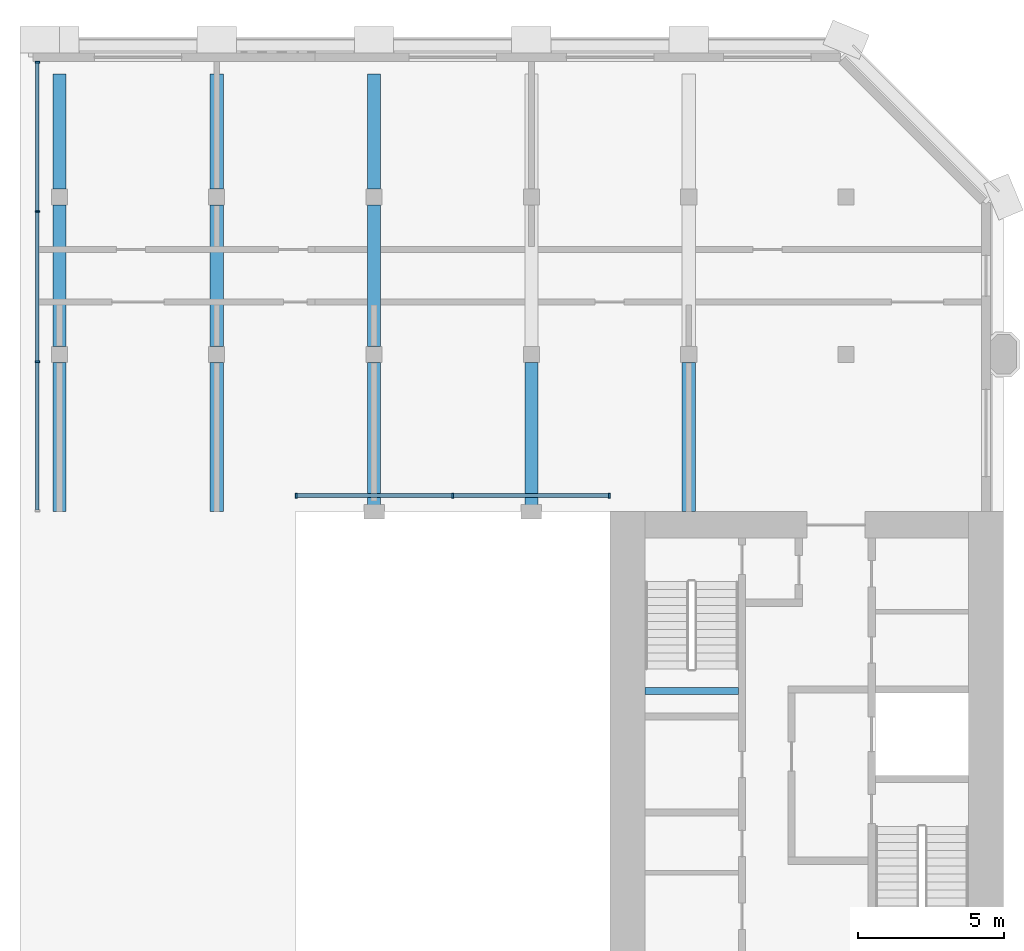
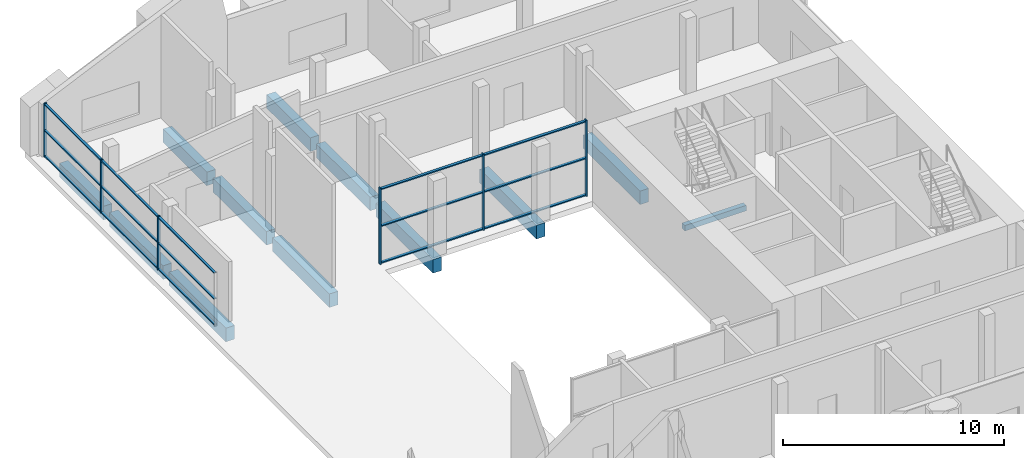
# One storey, part 3 of 9: 21 members, 12 beams, 2 elements without a shape of their own.
"""IFC4 building model written with IfcOpenShell, lengths in metres."""

from ifc_helpers import new_model, si_unit, direction, frame, origin, origin_2d, place, context, subcontext, project, spatial, rectangle, extrude, material, material_profile, profile_set, type_object, element, aggregate, save


model = new_model("IFC4")

# Units and contexts
model_context = context("Model", 3, precision=1e-05, world=origin(), true_north=direction((0.0, 1.0)))
body_context = subcontext(model_context, "Body", "Model", "MODEL_VIEW")
ifc_project = project(units=[si_unit("LENGTHUNIT", "METRE"), si_unit("AREAUNIT", "SQUARE_METRE"), si_unit("VOLUMEUNIT", "CUBIC_METRE"), si_unit("PLANEANGLEUNIT", "RADIAN"), si_unit("MASSUNIT", "GRAM", prefix="KILO")], contexts=[model_context])

# Site, building, storey
site_placement = place(None, origin())
site = spatial("IfcSite", under=ifc_project, at=site_placement, CompositionType="ELEMENT")
building_placement = place(site_placement, origin())
building = spatial("IfcBuilding", under=site, at=building_placement, Name="Tabaq Tower and Sports Hall", CompositionType="ELEMENT")
storey_placement = place(building_placement, frame((0.0, 0.0, 326.199951171875)))
storey = spatial("IfcBuildingStorey", under=building, at=storey_placement, Name="L81", CompositionType="ELEMENT", Elevation=326.199951171875)

# Curtain wall, members
ifc_material_1 = material(Name="Aluminium alloy 6063-T6 framed glazing", Category="aluminium")
curtain_wall_type_1 = type_object("IfcCurtainWallType", Name="CW1 curtain wall", PredefinedType="USERDEFINED", material=ifc_material_1)
curtain_wall_1_placement = place(storey_placement, origin())
curtain_wall_1 = element("IfcCurtainWall", 1, at=curtain_wall_1_placement, inside=storey, type_object=curtain_wall_type_1, Name="Atrium glazing L81 N", ObjectType="ATRIUM ENCLOSURE", PredefinedType="USERDEFINED")
ifc_material_2 = material(Name="Aluminium alloy 6063-T6", Category="aluminium")
ifc_material_profile_1 = material_profile(ifc_material_2, rectangle(XDim=0.159912109375, YDim=0.06005859375, at=origin_2d()), Name="MULLION 160x60")
ifc_profile_set_1 = profile_set([ifc_material_profile_1], Name="Aluminium alloy 6063-T6")
member_type_1 = type_object("IfcMemberType", Name="CW1 mullion 160x60", PredefinedType="MULLION", material=ifc_profile_set_1)
member_1_placement = place(storey_placement, frame((18.929931640625, 32.949951171875, 0.0), z_axis=(0.0, 0.0, 1.0), x_axis=(0.0, 1.0, 0.0)))
member_1 = element("IfcMember", 2, at=member_1_placement, type_object=member_type_1, Name="CW1 mullion 1", PredefinedType="MULLION", context=body_context, shape_type="SweptSolid", body=[
    extrude(rectangle(XDim=0.159912109375, YDim=0.06005859375, at=origin_2d()), origin(), (0.0, 0.0, 1.0), 4.199951171875),
])
member_2_placement = place(storey_placement, frame((24.300048828125, 32.949951171875, 0.0), z_axis=(0.0, 0.0, 1.0), x_axis=(0.0, 1.0, 0.0)))
member_2 = element("IfcMember", 3, at=member_2_placement, type_object=member_type_1, Name="CW1 mullion 2", PredefinedType="MULLION", context=body_context, shape_type="SweptSolid", body=[
    extrude(rectangle(XDim=0.159912109375, YDim=0.06005859375, at=origin_2d()), origin(), (0.0, 0.0, 1.0), 4.199951171875),
])
member_3_placement = place(storey_placement, frame((29.669921875, 32.949951171875, 0.0), z_axis=(0.0, 0.0, 1.0), x_axis=(0.0, 1.0, 0.0)))
member_3 = element("IfcMember", 4, at=member_3_placement, type_object=member_type_1, Name="CW1 mullion 3", PredefinedType="MULLION", context=body_context, shape_type="SweptSolid", body=[
    extrude(rectangle(XDim=0.159912109375, YDim=0.06005859375, at=origin_2d()), origin(), (0.0, 0.0, 1.0), 4.199951171875),
])
ifc_material_3 = material(Name="Aluminium alloy 6063-T6", Category="aluminium")
ifc_material_profile_2 = material_profile(ifc_material_3, rectangle(XDim=0.139892578125, YDim=0.06005859375, at=origin_2d()), Name="TRANSOM 140x60")
ifc_profile_set_2 = profile_set([ifc_material_profile_2], Name="Aluminium alloy 6063-T6")
member_type_2 = type_object("IfcMemberType", Name="CW1 transom 140x60", PredefinedType="USERDEFINED", material=ifc_profile_set_2)
member_4_placement = place(storey_placement, frame((18.9599609375, 32.949951171875, 0.070068359375), z_axis=(1.0, 0.0, 0.0), x_axis=(0.0, 1.0, 0.0)))
member_4 = element("IfcMember", 5, at=member_4_placement, type_object=member_type_2, Name="CW1 transom 1.1", ObjectType="TRANSOM", PredefinedType="USERDEFINED", context=body_context, shape_type="SweptSolid", body=[
    extrude(rectangle(XDim=0.139892578125, YDim=0.06005859375, at=origin_2d()), origin(), (0.0, 0.0, 1.0), 5.31005859375),
])
member_5_placement = place(storey_placement, frame((18.9599609375, 32.949951171875, 2.10009765625), z_axis=(1.0, 0.0, 0.0), x_axis=(0.0, 1.0, 0.0)))
member_5 = element("IfcMember", 6, at=member_5_placement, type_object=member_type_2, Name="CW1 transom 1.2", ObjectType="TRANSOM", PredefinedType="USERDEFINED", context=body_context, shape_type="SweptSolid", body=[
    extrude(rectangle(XDim=0.139892578125, YDim=0.06005859375, at=origin_2d()), origin(), (0.0, 0.0, 1.0), 5.31005859375),
])
member_6_placement = place(storey_placement, frame((18.9599609375, 32.949951171875, 4.130126953125), z_axis=(1.0, 0.0, 0.0), x_axis=(0.0, 1.0, 0.0)))
member_6 = element("IfcMember", 7, at=member_6_placement, type_object=member_type_2, Name="CW1 transom 1.3", ObjectType="TRANSOM", PredefinedType="USERDEFINED", context=body_context, shape_type="SweptSolid", body=[
    extrude(rectangle(XDim=0.139892578125, YDim=0.06005859375, at=origin_2d()), origin(), (0.0, 0.0, 1.0), 5.31005859375),
])
member_7_placement = place(storey_placement, frame((24.330078125, 32.949951171875, 0.070068359375), z_axis=(1.0, 0.0, 0.0), x_axis=(0.0, 1.0, 0.0)))
member_7 = element("IfcMember", 8, at=member_7_placement, type_object=member_type_2, Name="CW1 transom 2.1", ObjectType="TRANSOM", PredefinedType="USERDEFINED", context=body_context, shape_type="SweptSolid", body=[
    extrude(rectangle(XDim=0.139892578125, YDim=0.06005859375, at=origin_2d()), origin(), (0.0, 0.0, 1.0), 5.309814453125),
])
member_8_placement = place(storey_placement, frame((24.330078125, 32.949951171875, 2.10009765625), z_axis=(1.0, 0.0, 0.0), x_axis=(0.0, 1.0, 0.0)))
member_8 = element("IfcMember", 9, at=member_8_placement, type_object=member_type_2, Name="CW1 transom 2.2", ObjectType="TRANSOM", PredefinedType="USERDEFINED", context=body_context, shape_type="SweptSolid", body=[
    extrude(rectangle(XDim=0.139892578125, YDim=0.06005859375, at=origin_2d()), origin(), (0.0, 0.0, 1.0), 5.309814453125),
])
member_9_placement = place(storey_placement, frame((24.330078125, 32.949951171875, 4.130126953125), z_axis=(1.0, 0.0, 0.0), x_axis=(0.0, 1.0, 0.0)))
member_9 = element("IfcMember", 10, at=member_9_placement, type_object=member_type_2, Name="CW1 transom 2.3", ObjectType="TRANSOM", PredefinedType="USERDEFINED", context=body_context, shape_type="SweptSolid", body=[
    extrude(rectangle(XDim=0.139892578125, YDim=0.06005859375, at=origin_2d()), origin(), (0.0, 0.0, 1.0), 5.309814453125),
])
aggregate(curtain_wall_1, [member_1, member_2, member_3, member_4, member_5, member_6, member_7, member_8, member_9])

ifc_material_4 = material(Name="Aluminium alloy 6063-T6 framed glazing", Category="aluminium")
curtain_wall_type_2 = type_object("IfcCurtainWallType", Name="CW5 curtain wall", PredefinedType="USERDEFINED", material=ifc_material_4)
curtain_wall_2_placement = place(storey_placement, origin())
curtain_wall_2 = element("IfcCurtainWall", 11, at=curtain_wall_2_placement, inside=storey, type_object=curtain_wall_type_2, Name="Crown riser glazing L81", ObjectType="CROWN GLAZING", PredefinedType="USERDEFINED")
ifc_material_5 = material(Name="Aluminium alloy 6063-T6", Category="aluminium")
ifc_material_profile_3 = material_profile(ifc_material_5, rectangle(XDim=0.139892578125, YDim=0.06005859375, at=origin_2d()), Name="MULLION 140x60")
ifc_profile_set_3 = profile_set([ifc_material_profile_3], Name="Aluminium alloy 6063-T6")
member_type_3 = type_object("IfcMemberType", Name="CW5 mullion 140x60", PredefinedType="MULLION", material=ifc_profile_set_3)
member_10_placement = place(storey_placement, frame((10.050048828125, 47.820068359375, 0.0), z_axis=(0.0, 0.0, 1.0), x_axis=(1.0, 0.0, 0.0)))
member_10 = element("IfcMember", 12, at=member_10_placement, type_object=member_type_3, Name="CW5 mullion 1", PredefinedType="MULLION", context=body_context, shape_type="SweptSolid", body=[
    extrude(rectangle(XDim=0.139892578125, YDim=0.06005859375, at=origin_2d()), origin(), (0.0, 0.0, 1.0), 2.966796875),
])
member_11_placement = place(storey_placement, frame((10.050048828125, 42.699951171875, 0.0), z_axis=(0.0, 0.0, 1.0), x_axis=(1.0, 0.0, 0.0)))
member_11 = element("IfcMember", 13, at=member_11_placement, type_object=member_type_3, Name="CW5 mullion 2", PredefinedType="MULLION", context=body_context, shape_type="SweptSolid", body=[
    extrude(rectangle(XDim=0.139892578125, YDim=0.06005859375, at=origin_2d()), origin(), (0.0, 0.0, 1.0), 2.966796875),
])
member_12_placement = place(storey_placement, frame((10.050048828125, 37.550048828125, 0.0), z_axis=(0.0, 0.0, 1.0), x_axis=(1.0, 0.0, 0.0)))
member_12 = element("IfcMember", 14, at=member_12_placement, type_object=member_type_3, Name="CW5 mullion 3", PredefinedType="MULLION", context=body_context, shape_type="SweptSolid", body=[
    extrude(rectangle(XDim=0.139892578125, YDim=0.06005859375, at=origin_2d()), origin(), (0.0, 0.0, 1.0), 2.966796875),
])
ifc_material_6 = material(Name="Aluminium alloy 6063-T6", Category="aluminium")
ifc_material_profile_4 = material_profile(ifc_material_6, rectangle(XDim=0.1201171875, YDim=0.06005859375, at=origin_2d()), Name="TRANSOM 120x60")
ifc_profile_set_4 = profile_set([ifc_material_profile_4], Name="Aluminium alloy 6063-T6")
member_type_4 = type_object("IfcMemberType", Name="CW5 transom 120x60", PredefinedType="USERDEFINED", material=ifc_profile_set_4)
member_13_placement = place(storey_placement, frame((10.050048828125, 47.7900390625, 0.06005859375), z_axis=(0.0, -1.0, 0.0), x_axis=(1.0, 0.0, 0.0)))
member_13 = element("IfcMember", 15, at=member_13_placement, type_object=member_type_4, Name="CW5 transom 1.1", ObjectType="TRANSOM", PredefinedType="USERDEFINED", context=body_context, shape_type="SweptSolid", body=[
    extrude(rectangle(XDim=0.1201171875, YDim=0.06005859375, at=origin_2d()), origin(), (0.0, 0.0, 1.0), 5.06005859375),
])
member_14_placement = place(storey_placement, frame((10.050048828125, 47.7900390625, 1.4833984375), z_axis=(0.0, -1.0, 0.0), x_axis=(1.0, 0.0, 0.0)))
member_14 = element("IfcMember", 16, at=member_14_placement, type_object=member_type_4, Name="CW5 transom 1.2", ObjectType="TRANSOM", PredefinedType="USERDEFINED", context=body_context, shape_type="SweptSolid", body=[
    extrude(rectangle(XDim=0.1201171875, YDim=0.06005859375, at=origin_2d()), origin(), (0.0, 0.0, 1.0), 5.06005859375),
])
member_15_placement = place(storey_placement, frame((10.050048828125, 47.7900390625, 2.90673828125), z_axis=(0.0, -1.0, 0.0), x_axis=(1.0, 0.0, 0.0)))
member_15 = element("IfcMember", 17, at=member_15_placement, type_object=member_type_4, Name="CW5 transom 1.3", ObjectType="TRANSOM", PredefinedType="USERDEFINED", context=body_context, shape_type="SweptSolid", body=[
    extrude(rectangle(XDim=0.1201171875, YDim=0.06005859375, at=origin_2d()), origin(), (0.0, 0.0, 1.0), 5.06005859375),
])
member_16_placement = place(storey_placement, frame((10.050048828125, 42.669921875, 0.06005859375), z_axis=(0.0, -1.0, 0.0), x_axis=(1.0, 0.0, 0.0)))
member_16 = element("IfcMember", 18, at=member_16_placement, type_object=member_type_4, Name="CW5 transom 2.1", ObjectType="TRANSOM", PredefinedType="USERDEFINED", context=body_context, shape_type="SweptSolid", body=[
    extrude(rectangle(XDim=0.1201171875, YDim=0.06005859375, at=origin_2d()), origin(), (0.0, 0.0, 1.0), 5.08984375),
])
member_17_placement = place(storey_placement, frame((10.050048828125, 42.669921875, 1.4833984375), z_axis=(0.0, -1.0, 0.0), x_axis=(1.0, 0.0, 0.0)))
member_17 = element("IfcMember", 19, at=member_17_placement, type_object=member_type_4, Name="CW5 transom 2.2", ObjectType="TRANSOM", PredefinedType="USERDEFINED", context=body_context, shape_type="SweptSolid", body=[
    extrude(rectangle(XDim=0.1201171875, YDim=0.06005859375, at=origin_2d()), origin(), (0.0, 0.0, 1.0), 5.08984375),
])
member_18_placement = place(storey_placement, frame((10.050048828125, 42.669921875, 2.90673828125), z_axis=(0.0, -1.0, 0.0), x_axis=(1.0, 0.0, 0.0)))
member_18 = element("IfcMember", 20, at=member_18_placement, type_object=member_type_4, Name="CW5 transom 2.3", ObjectType="TRANSOM", PredefinedType="USERDEFINED", context=body_context, shape_type="SweptSolid", body=[
    extrude(rectangle(XDim=0.1201171875, YDim=0.06005859375, at=origin_2d()), origin(), (0.0, 0.0, 1.0), 5.08984375),
])
member_19_placement = place(storey_placement, frame((10.050048828125, 37.52001953125, 0.06005859375), z_axis=(0.0, -1.0, 0.0), x_axis=(1.0, 0.0, 0.0)))
member_19 = element("IfcMember", 21, at=member_19_placement, type_object=member_type_4, Name="CW5 transom 3.1", ObjectType="TRANSOM", PredefinedType="USERDEFINED", context=body_context, shape_type="SweptSolid", body=[
    extrude(rectangle(XDim=0.1201171875, YDim=0.06005859375, at=origin_2d()), origin(), (0.0, 0.0, 1.0), 5.06005859375),
])
member_20_placement = place(storey_placement, frame((10.050048828125, 37.52001953125, 1.4833984375), z_axis=(0.0, -1.0, 0.0), x_axis=(1.0, 0.0, 0.0)))
member_20 = element("IfcMember", 22, at=member_20_placement, type_object=member_type_4, Name="CW5 transom 3.2", ObjectType="TRANSOM", PredefinedType="USERDEFINED", context=body_context, shape_type="SweptSolid", body=[
    extrude(rectangle(XDim=0.1201171875, YDim=0.06005859375, at=origin_2d()), origin(), (0.0, 0.0, 1.0), 5.06005859375),
])
member_21_placement = place(storey_placement, frame((10.050048828125, 37.52001953125, 2.90673828125), z_axis=(0.0, -1.0, 0.0), x_axis=(1.0, 0.0, 0.0)))
member_21 = element("IfcMember", 23, at=member_21_placement, type_object=member_type_4, Name="CW5 transom 3.3", ObjectType="TRANSOM", PredefinedType="USERDEFINED", context=body_context, shape_type="SweptSolid", body=[
    extrude(rectangle(XDim=0.1201171875, YDim=0.06005859375, at=origin_2d()), origin(), (0.0, 0.0, 1.0), 5.06005859375),
])
aggregate(curtain_wall_2, [member_10, member_11, member_12, member_13, member_14, member_15, member_16, member_17, member_18, member_19, member_20, member_21])

# Beams
ifc_material_7 = material(Name="Concrete C40/50", Category="concrete")
ifc_material_profile_5 = material_profile(ifc_material_7, rectangle(XDim=0.449951171875, YDim=0.75, at=origin_2d()), Name="CB 450x750")
ifc_profile_set_5 = profile_set([ifc_material_profile_5], Name="Concrete C40/50")
beam_type_1 = type_object("IfcBeamType", Name="PT CANTILEVER BEAM CB 450x750 C40/50", PredefinedType="BEAM", material=ifc_profile_set_5)
beam_1_placement = place(storey_placement, frame((10.800048828125, 47.425048828125, -0.675048828125), z_axis=(0.0, -1.0, 0.0), x_axis=(1.0, 0.0, 0.0)))
element("IfcBeam", 24, at=beam_1_placement, inside=storey, type_object=beam_type_1, Name="Cantilever Beam L81 N2 span 1", PredefinedType="BEAM", context=body_context, shape_type="SweptSolid", body=[
    extrude(rectangle(XDim=0.449951171875, YDim=0.75, at=origin_2d()), origin(), (0.0, 0.0, 1.0), 3.949951171875),
])
beam_2_placement = place(storey_placement, frame((10.800048828125, 42.925048828125, -0.675048828125), z_axis=(0.0, -1.0, 0.0), x_axis=(1.0, 0.0, 0.0)))
element("IfcBeam", 25, at=beam_2_placement, inside=storey, type_object=beam_type_1, Name="Cantilever Beam L81 N2 span 2", PredefinedType="BEAM", context=body_context, shape_type="SweptSolid", body=[
    extrude(rectangle(XDim=0.449951171875, YDim=0.75, at=origin_2d()), origin(), (0.0, 0.0, 1.0), 4.85009765625),
])
beam_3_placement = place(storey_placement, frame((10.800048828125, 37.52490234375, -0.675048828125), z_axis=(0.0, -1.0, 0.0), x_axis=(1.0, 0.0, 0.0)))
element("IfcBeam", 26, at=beam_3_placement, inside=storey, type_object=beam_type_1, Name="Cantilever Beam L81 N2 span 3", PredefinedType="BEAM", context=body_context, shape_type="SweptSolid", body=[
    extrude(rectangle(XDim=0.449951171875, YDim=0.75, at=origin_2d()), origin(), (0.0, 0.0, 1.0), 5.125),
])
beam_4_placement = place(storey_placement, frame((16.199951171875, 47.425048828125, -0.675048828125), z_axis=(0.0, -1.0, 0.0), x_axis=(1.0, 0.0, 0.0)))
element("IfcBeam", 27, at=beam_4_placement, inside=storey, type_object=beam_type_1, Name="Cantilever Beam L81 N3 span 1", PredefinedType="BEAM", context=body_context, shape_type="SweptSolid", body=[
    extrude(rectangle(XDim=0.449951171875, YDim=0.75, at=origin_2d()), origin(), (0.0, 0.0, 1.0), 3.949951171875),
])
beam_5_placement = place(storey_placement, frame((16.199951171875, 42.925048828125, -0.675048828125), z_axis=(0.0, -1.0, 0.0), x_axis=(1.0, 0.0, 0.0)))
element("IfcBeam", 28, at=beam_5_placement, inside=storey, type_object=beam_type_1, Name="Cantilever Beam L81 N3 span 2", PredefinedType="BEAM", context=body_context, shape_type="SweptSolid", body=[
    extrude(rectangle(XDim=0.449951171875, YDim=0.75, at=origin_2d()), origin(), (0.0, 0.0, 1.0), 4.85009765625),
])
beam_6_placement = place(storey_placement, frame((16.199951171875, 37.52490234375, -0.675048828125), z_axis=(0.0, -1.0, 0.0), x_axis=(1.0, 0.0, 0.0)))
element("IfcBeam", 29, at=beam_6_placement, inside=storey, type_object=beam_type_1, Name="Cantilever Beam L81 N3 span 3", PredefinedType="BEAM", context=body_context, shape_type="SweptSolid", body=[
    extrude(rectangle(XDim=0.449951171875, YDim=0.75, at=origin_2d()), origin(), (0.0, 0.0, 1.0), 5.125),
])
beam_7_placement = place(storey_placement, frame((21.60009765625, 47.425048828125, -0.675048828125), z_axis=(0.0, -1.0, 0.0), x_axis=(1.0, 0.0, 0.0)))
element("IfcBeam", 30, at=beam_7_placement, inside=storey, type_object=beam_type_1, Name="Cantilever Beam L81 N4 span 1", PredefinedType="BEAM", context=body_context, shape_type="SweptSolid", body=[
    extrude(rectangle(XDim=0.449951171875, YDim=0.75, at=origin_2d()), origin(), (0.0, 0.0, 1.0), 3.949951171875),
])
beam_8_placement = place(storey_placement, frame((21.60009765625, 42.925048828125, -0.675048828125), z_axis=(0.0, -1.0, 0.0), x_axis=(1.0, 0.0, 0.0)))
element("IfcBeam", 31, at=beam_8_placement, inside=storey, type_object=beam_type_1, Name="Cantilever Beam L81 N4 span 2", PredefinedType="BEAM", context=body_context, shape_type="SweptSolid", body=[
    extrude(rectangle(XDim=0.449951171875, YDim=0.75, at=origin_2d()), origin(), (0.0, 0.0, 1.0), 4.85009765625),
])
for number, where, z_axis, x_axis, name in (
    (32, (21.60009765625, 37.52490234375, -0.675048828125), (0.0, -1.0, 0.0), (1.0, 0.0, 0.0), "Cantilever Beam L81 N4 span 3"),
    (33, (27.0, 37.52490234375, -0.675048828125), (0.0, -1.0, 0.0), (1.0, 0.0, 0.0), "Cantilever Beam L81 N5 span 3"),
    (34, (32.39990234375, 37.52490234375, -0.675048828125), (0.0, -1.0, 0.0), (1.0, 0.0, 0.0), "Cantilever Beam L81 N6 span 3"),
):
    element("IfcBeam", number, at=place(storey_placement, frame(where, z_axis=z_axis, x_axis=x_axis)), inside=storey, type_object=beam_type_1, Name=name, PredefinedType="BEAM", context=body_context, shape_type="SweptSolid", body=[
        extrude(rectangle(XDim=0.449951171875, YDim=0.75, at=origin_2d()), origin(), (0.0, 0.0, 1.0), 5.125),
    ])
ifc_material_8 = material(Name="Concrete C40/50", Category="concrete")
ifc_material_profile_6 = material_profile(ifc_material_8, rectangle(XDim=0.25, YDim=0.300048828125, at=origin_2d()), Name="RC 250x300")
ifc_profile_set_6 = profile_set([ifc_material_profile_6], Name="Concrete C40/50")
beam_type_2 = type_object("IfcBeamType", Name="Stair landing beam 250x300", PredefinedType="BEAM", material=ifc_profile_set_6)
beam_9_placement = place(storey_placement, frame((30.89990234375, 26.25, 1.900146484375), z_axis=(1.0, 0.0, 0.0), x_axis=(0.0, 1.0, 0.0)))
element("IfcBeam", 35, at=beam_9_placement, inside=storey, type_object=beam_type_2, Name="L81 ST4 landing beam 1", PredefinedType="BEAM", context=body_context, shape_type="SweptSolid", body=[
    extrude(rectangle(XDim=0.25, YDim=0.300048828125, at=origin_2d()), origin(), (0.0, 0.0, 1.0), 3.2001953125),
])

save(model, "model.ifc")
